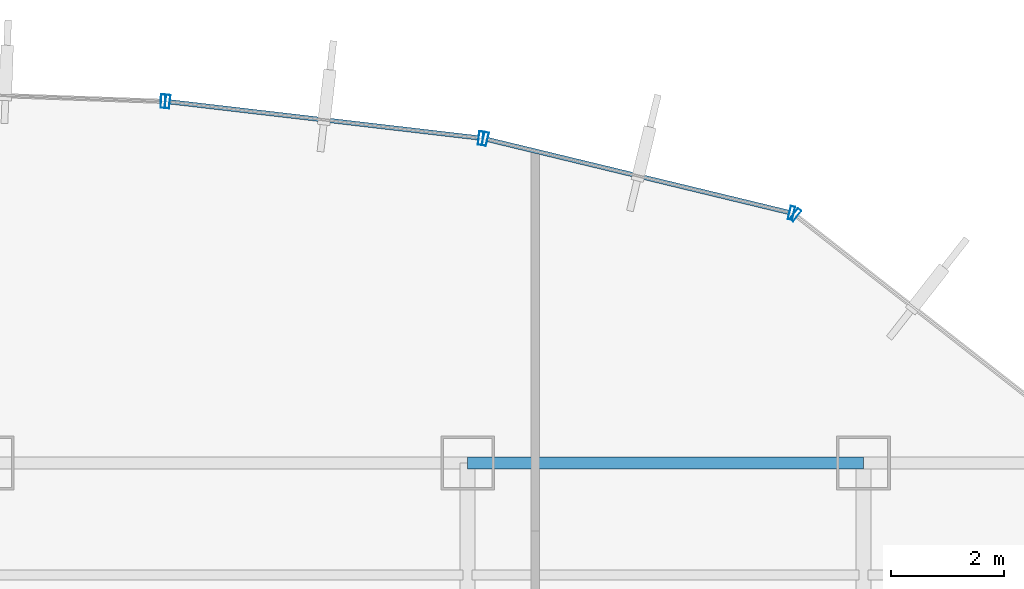
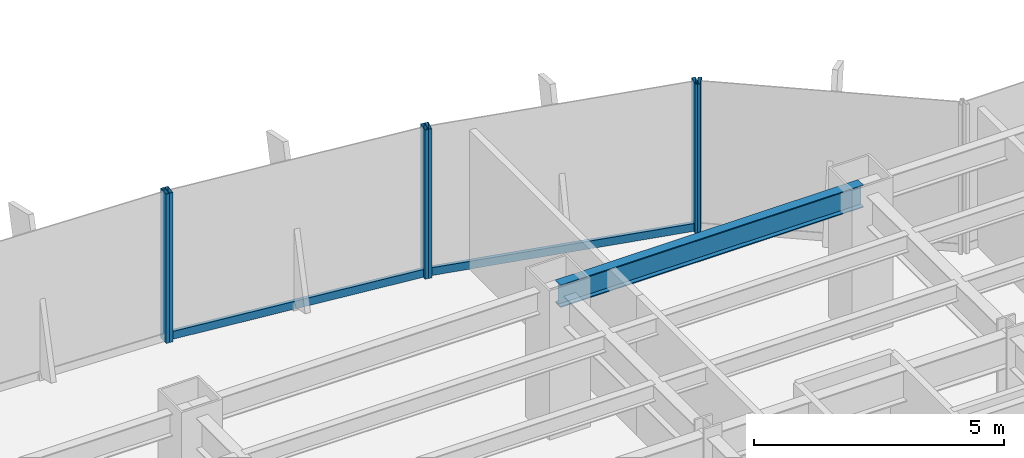
# One storey, part 14 of 22: 8 members, 1 beam, 4 elements without a shape of their own.
"""IFC4 building model written with IfcOpenShell, lengths in metres."""

from ifc_helpers import new_model, si_unit, derived_unit, direction, frame, origin, origin_2d, place, context, subcontext, project, spatial, hollow_rectangle, i_section, extrude, source, transform, mapped, material, material_profile, profile_set, type_object, element, aggregate, save


model = new_model("IFC4")

# Units and contexts
model_context = context("Model", 3, precision=1e-05, world=origin(), true_north=direction((0.0, 1.0)))
body_context = subcontext(model_context, "Body", "Model", "MODEL_VIEW")
ifc_project = project(units=[si_unit("LENGTHUNIT", "METRE"), si_unit("AREAUNIT", "SQUARE_METRE"), si_unit("VOLUMEUNIT", "CUBIC_METRE"), si_unit("PLANEANGLEUNIT", "RADIAN"), si_unit("MASSUNIT", "GRAM", prefix="KILO"), derived_unit("THERMALTRANSMITTANCEUNIT", [(si_unit("POWERUNIT", "WATT"), 1), (si_unit("LENGTHUNIT", "METRE"), -2), (si_unit("THERMODYNAMICTEMPERATUREUNIT", "KELVIN"), -1)])], contexts=[model_context])

# Site, building, storey
site_placement = place(None, origin())
site = spatial("IfcSite", under=ifc_project, at=site_placement, CompositionType="ELEMENT")
building_placement = place(site_placement, origin())
building = spatial("IfcBuilding", under=site, at=building_placement, Name="Skarnbrae Concourse Arena and Tower", CompositionType="ELEMENT")
storey_placement = place(building_placement, frame((0.0, 0.0, 39.800048828125)))
storey = spatial("IfcBuildingStorey", under=building, at=storey_placement, Name="L08", CompositionType="ELEMENT", Elevation=39.800048828125)

# Beam
ifc_material_1 = material(Name="Steel CSA G40.21 350W", Category="steel")
ifc_material_profile_1 = material_profile(ifc_material_1, i_section(OverallWidth=0.214111328125, OverallDepth=0.549072265625, WebThickness=0.0146484375, FlangeThickness=0.023681640625, at=origin_2d()), Name="W530X138")
ifc_profile_set_1 = profile_set([ifc_material_profile_1], Name="Steel CSA G40.21 350W")
beam_type = type_object("IfcBeamType", Name="BM-SPAN-W530X138", PredefinedType="SPANDREL", material=ifc_profile_set_1)
shared_shape_1 = source(origin(), body_context, "Body", "SweptSolid", [
    extrude(i_section(OverallWidth=0.214111328125, OverallDepth=0.549072265625, WebThickness=0.0146484375, FlangeThickness=0.023681640625, at=origin_2d()), origin(), (0.0, 0.0, 1.0), 7.0),
])
beam_placement = place(storey_placement, frame((42.0, 40.39990234375, 3.12548828125), z_axis=(1.0, 0.0, 0.0), x_axis=(0.0, 1.0, 0.0)))
element("IfcBeam", 1, at=beam_placement, inside=storey, type_object=beam_type, Name="L08 Perimeter spandrel Y40.4-6", PredefinedType="SPANDREL", context=body_context, shape_type="MappedRepresentation", body=[
    mapped(shared_shape_1, transform((0.0, 0.0, 0.0))),
])

# Curtain wall, member
ifc_material_2 = material(Name="Bronze anodised aluminium 6063-T6", Category="aluminium")
curtain_wall_type = type_object("IfcCurtainWallType", Name="CW-SYS-02-LOWZONE", PredefinedType="USERDEFINED", material=ifc_material_2)
curtain_wall_1_placement = place(storey_placement, origin())
curtain_wall_1 = element("IfcCurtainWall", 2, at=curtain_wall_1_placement, inside=storey, type_object=curtain_wall_type, Name="L08 Unitised curtain wall CW-L08-E08", ObjectType="UNITISED CURTAIN WALL", PredefinedType="USERDEFINED")
ifc_material_profile_2 = material_profile(ifc_material_2, hollow_rectangle(XDim=0.080078125, YDim=0.239990234375, WallThickness=0.0048828125, at=origin_2d()), Name="ALU-MULL-80X240")
ifc_profile_set_2 = profile_set([ifc_material_profile_2], Name="Bronze anodised aluminium 6063-T6")
member_type_1 = type_object("IfcMemberType", Name="CWM-CW-02", PredefinedType="MULLION", material=ifc_profile_set_2)
shared_shape_2 = source(origin(), body_context, "Body", "SweptSolid", [
    extrude(hollow_rectangle(XDim=0.080078125, YDim=0.239990234375, WallThickness=0.0048828125, at=origin_2d()), origin(), (0.0, 0.0, 1.0), 3.64990234375),
])
member_1_placement = place(storey_placement, frame((47.7978515625, 44.787109375, 0.0), z_axis=(0.0, 0.0, 1.0), x_axis=(-0.787651726054, 0.616120733658, 0.0)))
member_1 = element("IfcMember", 3, at=member_1_placement, type_object=member_type_1, Name="CW-L08-E08 Mullion 2", PredefinedType="MULLION", context=body_context, shape_type="MappedRepresentation", body=[
    mapped(shared_shape_2, transform((0.0, 0.0, 0.0))),
])
aggregate(curtain_wall_1, [member_1])

# Curtain wall, members
curtain_wall_2_placement = place(storey_placement, origin())
curtain_wall_2 = element("IfcCurtainWall", 4, at=curtain_wall_2_placement, inside=storey, type_object=curtain_wall_type, Name="L08 Unitised curtain wall CW-L08-E09", ObjectType="UNITISED CURTAIN WALL", PredefinedType="USERDEFINED")
member_2_placement = place(storey_placement, frame((47.727294921875, 44.821044921875, 0.0), z_axis=(0.0, 0.0, 1.0), x_axis=(-0.971973721569, 0.235089524607, 0.0)))
member_2 = element("IfcMember", 5, at=member_2_placement, type_object=member_type_1, Name="CW-L08-E09 Mullion 1", PredefinedType="MULLION", context=body_context, shape_type="MappedRepresentation", body=[
    mapped(shared_shape_2, transform((0.0, 0.0, 0.0))),
])
member_3_placement = place(storey_placement, frame((42.311279296875, 46.131103515625, 0.0), z_axis=(0.0, 0.0, 1.0), x_axis=(-0.971973721569, 0.235089524607, 0.0)))
member_3 = element("IfcMember", 6, at=member_3_placement, type_object=member_type_1, Name="CW-L08-E09 Mullion 2", PredefinedType="MULLION", context=body_context, shape_type="MappedRepresentation", body=[
    mapped(shared_shape_2, transform((0.0, 0.0, 0.0))),
])

curtain_wall_3_placement = place(storey_placement, origin())
curtain_wall_3 = element("IfcCurtainWall", 7, at=curtain_wall_3_placement, inside=storey, type_object=curtain_wall_type, Name="L08 Unitised curtain wall CW-L08-E10", ObjectType="UNITISED CURTAIN WALL", PredefinedType="USERDEFINED")
member_4_placement = place(storey_placement, frame((42.232666015625, 46.14501953125, 0.0), z_axis=(0.0, 0.0, 1.0), x_axis=(-0.99324457001, 0.116039752435, 0.0)))
member_4 = element("IfcMember", 8, at=member_4_placement, type_object=member_type_1, Name="CW-L08-E10 Mullion 1", PredefinedType="MULLION", context=body_context, shape_type="MappedRepresentation", body=[
    mapped(shared_shape_2, transform((0.0, 0.0, 0.0))),
])
member_5_placement = place(storey_placement, frame((36.693603515625, 46.792236328125, 0.0), z_axis=(0.0, 0.0, 1.0), x_axis=(-0.99324457001, 0.116039752435, 0.0)))
member_5 = element("IfcMember", 9, at=member_5_placement, type_object=member_type_1, Name="CW-L08-E10 Mullion 2", PredefinedType="MULLION", context=body_context, shape_type="MappedRepresentation", body=[
    mapped(shared_shape_2, transform((0.0, 0.0, 0.0))),
])

# Curtain wall, member
curtain_wall_4_placement = place(storey_placement, origin())
curtain_wall_4 = element("IfcCurtainWall", 10, at=curtain_wall_4_placement, inside=storey, type_object=curtain_wall_type, Name="L08 Unitised curtain wall CW-L08-E11", ObjectType="UNITISED CURTAIN WALL", PredefinedType="USERDEFINED")
member_6_placement = place(storey_placement, frame((36.614013671875, 46.79833984375, 0.0), z_axis=(0.0, 0.0, 1.0), x_axis=(-0.999355425188, 0.035898943527, 0.0)))
member_6 = element("IfcMember", 11, at=member_6_placement, type_object=member_type_1, Name="CW-L08-E11 Mullion 1", PredefinedType="MULLION", context=body_context, shape_type="MappedRepresentation", body=[
    mapped(shared_shape_2, transform((0.0, 0.0, 0.0))),
])
aggregate(curtain_wall_4, [member_6])

# Member
ifc_material_profile_3 = material_profile(ifc_material_2, hollow_rectangle(XDim=0.080078125, YDim=0.18994140625, WallThickness=0.0048828125, at=origin_2d()), Name="ALU-TRAN-80X190")
ifc_profile_set_3 = profile_set([ifc_material_profile_3], Name="Bronze anodised aluminium 6063-T6")
member_type_2 = type_object("IfcMemberType", Name="CWT-CW-02", PredefinedType="USERDEFINED", material=ifc_profile_set_3)
shared_shape_3 = source(origin(), body_context, "Body", "SweptSolid", [
    extrude(hollow_rectangle(XDim=0.080078125, YDim=0.18994140625, WallThickness=0.0048828125, at=origin_2d()), origin(), (0.0, 0.0, 1.0), 5.4921875),
])
member_7_placement = place(storey_placement, frame((47.6884765625, 44.83056640625, 0.094970703125), z_axis=(-0.971980728004, 0.235060554728, 0.0), x_axis=(-0.235060554728, -0.971980728004, 0.0)))
member_7 = element("IfcMember", 12, at=member_7_placement, type_object=member_type_2, Name="CW-L08-E09 Transom 1", ObjectType="TRANSOM", PredefinedType="USERDEFINED", context=body_context, shape_type="MappedRepresentation", body=[
    mapped(shared_shape_3, transform((0.0, 0.0, 0.0))),
])

aggregate(curtain_wall_2, [member_2, member_3, member_7])

shared_shape_4 = source(origin(), body_context, "Body", "SweptSolid", [
    extrude(hollow_rectangle(XDim=0.080078125, YDim=0.18994140625, WallThickness=0.0048828125, at=origin_2d()), origin(), (0.0, 0.0, 1.0), 5.49658203125),
])
member_8_placement = place(storey_placement, frame((42.19287109375, 46.14990234375, 0.094970703125), z_axis=(-0.993247281455, 0.116016541417, 0.0), x_axis=(-0.116016541417, -0.993247281455, 0.0)))
member_8 = element("IfcMember", 13, at=member_8_placement, type_object=member_type_2, Name="CW-L08-E10 Transom 1", ObjectType="TRANSOM", PredefinedType="USERDEFINED", context=body_context, shape_type="MappedRepresentation", body=[
    mapped(shared_shape_4, transform((0.0, 0.0, 0.0))),
])

aggregate(curtain_wall_3, [member_4, member_5, member_8])

save(model, "model.ifc")
